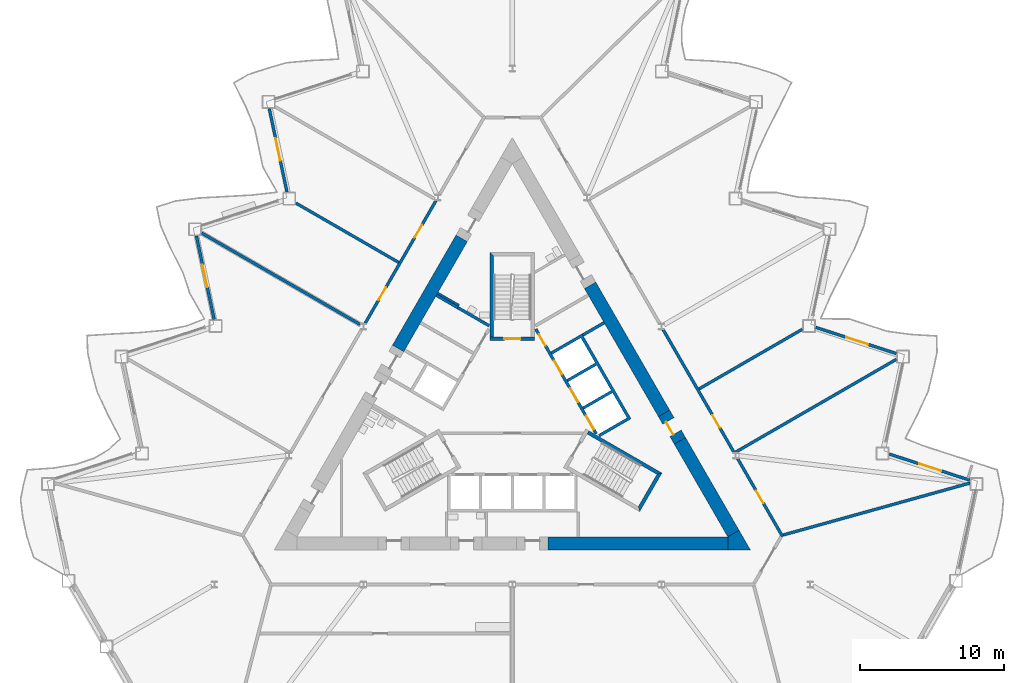
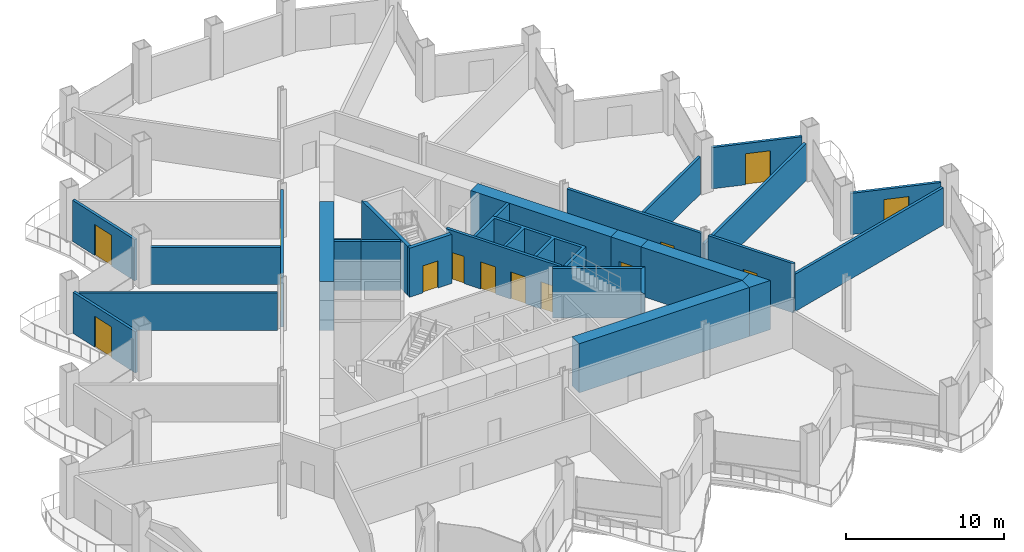
# One storey, part 12 of 21: 28 walls, 14 doors, 14 openings.
"""IFC4 building model written with IfcOpenShell, lengths in metres."""

from ifc_helpers import new_model, si_unit, direction, frame, frame_2d, origin, place, context, subcontext, project, spatial, polyline, rectangle, outline, extrude, material, layer, layer_set, type_object, element, fill, save


model = new_model("IFC4")

# Units and contexts
model_context = context("Model", 3, precision=1e-05, world=origin(), true_north=direction((0.0, 1.0)))
body_context = subcontext(model_context, "Body", "Model", "MODEL_VIEW")
ifc_project = project(units=[si_unit("LENGTHUNIT", "METRE"), si_unit("AREAUNIT", "SQUARE_METRE"), si_unit("VOLUMEUNIT", "CUBIC_METRE"), si_unit("PLANEANGLEUNIT", "RADIAN"), si_unit("MASSUNIT", "GRAM", prefix="KILO")], contexts=[model_context])

# Site, building, storey
site_placement = place(None, origin())
site = spatial("IfcSite", under=ifc_project, at=site_placement, CompositionType="ELEMENT")
building_placement = place(site_placement, origin())
building = spatial("IfcBuilding", under=site, at=building_placement, Name="Cormorant Prow Tower", CompositionType="ELEMENT")
storey_placement = place(building_placement, frame((0.0, 0.0, 141.60009765625)))
storey = spatial("IfcBuildingStorey", under=building, at=storey_placement, Name="L30", CompositionType="ELEMENT", Elevation=141.60009765625)

# Walls
ifc_material_1 = material(Name="Gypsum board partition")
ifc_layer_1 = layer(ifc_material_1, 0.14990234375)
ifc_layer_set_1 = layer_set([ifc_layer_1], Name="Gypsum board partition")
wall_type_1 = type_object("IfcWallType", Name="Core partition 150", PredefinedType="PARTITIONING", material=ifc_layer_set_1)
wall_1_placement = place(storey_placement, frame((-3.693359375, 7.4150390625, 0.0), z_axis=(0.0, 0.0, 1.0), x_axis=(-0.866024871741, 0.500000921525, 0.0)))
element("IfcWall", 1, at=wall_1_placement, inside=storey, type_object=wall_type_1, Name="Service room partition", PredefinedType="PARTITIONING", context=body_context, shape_type="SweptSolid", body=[
    extrude(rectangle(XDim=1.72021484375, YDim=0.14990234375, at=frame_2d((0.860107421875, 0.0))), origin(), (0.0, 0.0, 1.0), 3.7998046875),
])
ifc_material_2 = material(Name="Concrete 8000 psi", Category="concrete")
ifc_layer_2 = layer(ifc_material_2, 0.89990234375)
ifc_layer_set_2 = layer_set([ifc_layer_2], Name="Concrete 8000 psi")
wall_type_2 = type_object("IfcWallType", Name="Core shear wall 900", PredefinedType="SHEAR", material=ifc_layer_set_2)
wall_2_placement = place(storey_placement, frame((2.487548828125, -9.076416015625, 0.0), z_axis=(0.0, 0.0, 1.0), x_axis=(1.0, 0.0, 0.0)))
element("IfcWall", 2, at=wall_2_placement, inside=storey, type_object=wall_type_2, Name="Core wall", PredefinedType="SHEAR", context=body_context, shape_type="SweptSolid", body=[
    extrude(rectangle(XDim=12.45361328125, YDim=0.89990234375, at=frame_2d((6.226806640625, 0.0))), origin(), (0.0, 0.0, 1.0), 3.7998046875),
])
wall_3_placement = place(storey_placement, frame((10.5205078125, -0.069580078125, 0.0), z_axis=(0.0, 0.0, 1.0), x_axis=(-0.499997384719, 0.866026913713, 0.0)))
element("IfcWall", 3, at=wall_3_placement, inside=storey, type_object=wall_type_2, Name="Core wall", PredefinedType="SHEAR", context=body_context, shape_type="SweptSolid", body=[
    extrude(rectangle(XDim=10.2490234375, YDim=0.89990234375, at=frame_2d((5.12451171875, 0.0))), origin(), (0.0, 0.0, 1.0), 3.7998046875),
])
wall_4_placement = place(storey_placement, frame((15.330810546875, -8.4013671875, 0.0), z_axis=(0.0, 0.0, 1.0), x_axis=(-0.499985413531, 0.866033825122, 0.0)))
element("IfcWall", 4, at=wall_4_placement, inside=storey, type_object=wall_type_2, Name="Core wall", PredefinedType="SHEAR", context=body_context, shape_type="SweptSolid", body=[
    extrude(rectangle(XDim=7.420654296875, YDim=0.89990234375, at=frame_2d((3.71044921875, 0.0))), origin(), (0.0, 0.0, 1.0), 3.7998046875),
])
wall_5_placement = place(storey_placement, frame((-3.512451171875, 12.06884765625, 0.0), z_axis=(0.0, 0.0, 1.0), x_axis=(-0.500002126466, -0.866024176065, 0.0)))
element("IfcWall", 5, at=wall_5_placement, inside=storey, type_object=wall_type_2, Name="Core wall", PredefinedType="SHEAR", context=body_context, shape_type="SweptSolid", body=[
    extrude(rectangle(XDim=8.81591796875, YDim=0.89990234375, at=frame_2d((4.407958984375, 0.0))), origin(), (0.0, 0.0, 1.0), 3.7998046875),
])
wall_6_placement = place(storey_placement, origin())
element("IfcWall", 6, at=wall_6_placement, inside=storey, type_object=wall_type_2, Name="Core wall corner", PredefinedType="SHEAR", context=body_context, shape_type="SweptSolid", body=[
    extrude(outline(polyline([(14.941162109375, -8.626220703125), (15.720703125, -8.17626953125), (16.5, -9.5263671875), (14.941162109375, -9.5263671875), (14.941162109375, -8.626220703125)])), origin(), (0.0, 0.0, 1.0), 3.7998046875),
])

# Wall, opening, door
wall_7_placement = place(storey_placement, frame((11.62060546875, -1.974853515625, 0.0), z_axis=(0.0, 0.0, 1.0), x_axis=(-0.50002983664, 0.866008176907, 0.0)))
wall_7 = element("IfcWall", 7, at=wall_7_placement, inside=storey, type_object=wall_type_2, Name="Core wall door panel", PredefinedType="SHEAR", context=body_context, shape_type="SweptSolid", body=[
    extrude(rectangle(XDim=2.199951171875, YDim=0.89990234375, at=frame_2d((1.10009765625, 0.0))), origin(), (0.0, 0.0, 1.0), 3.7998046875),
])
opening_1_placement = place(wall_7_placement, frame((0.60009765625, 0.0, 0.0)))
opening_1 = element("IfcOpeningElement", 8, at=opening_1_placement, cuts=wall_7, Name="Opening L30-C19", PredefinedType="OPENING", context=body_context, shape_type="SweptSolid", body=[
    extrude(rectangle(XDim=1.0, YDim=2.10009765625, at=frame_2d((0.5, 1.050048828125))), frame((0.0, 0.4599609375, 0.0), z_axis=(0.0, -1.0, 0.0), x_axis=(1.0, 0.0, 0.0)), (0.0, 0.0, 1.0), 0.919921875),
])
ifc_material_3 = material(Name="Painted steel", Category="steel")
door_type_1 = type_object("IfcDoorType", Name="Service door 1000x2100", OperationType="NOTDEFINED", PredefinedType="DOOR", material=ifc_material_3)
door_1_placement = place(opening_1_placement, origin())
door_1 = element("IfcDoor", 9, at=door_1_placement, inside=storey, type_object=door_type_1, Name="Core door, Telecom room", OperationType="SINGLE_SWING_LEFT", OverallHeight=2.10009765625, OverallWidth=1.0, PredefinedType="DOOR", context=body_context, shape_type="SweptSolid", body=[
    extrude(rectangle(XDim=1.0, YDim=2.10009765625, at=frame_2d((0.5, 1.050048828125))), frame((0.0, 0.205078125, 0.0), z_axis=(0.0, -1.0, 0.0), x_axis=(1.0, 0.0, 0.0)), (0.0, 0.0, 1.0), 0.050048828125),
])
fill(opening_1, door_1)

ifc_material_4 = material(Name="Gypsum board corridor wall")
ifc_layer_3 = layer(ifc_material_4, 0.199951171875)
ifc_layer_set_3 = layer_set([ifc_layer_3], Name="Gypsum board corridor wall")
wall_type_3 = type_object("IfcWallType", Name="Corridor wall 200", PredefinedType="PARTITIONING", material=ifc_layer_set_3)
wall_8_placement = place(storey_placement, frame((10.459716796875, 5.735595703125, 0.0), z_axis=(0.0, 0.0, 1.0), x_axis=(0.500004141693, -0.866023012564, 0.0)))
wall_8 = element("IfcWall", 10, at=wall_8_placement, inside=storey, type_object=wall_type_3, Name="Corridor wall", PredefinedType="PARTITIONING", context=body_context, shape_type="SweptSolid", body=[
    extrude(rectangle(XDim=9.80322265625, YDim=0.199951171875, at=frame_2d((4.901611328125, 0.0))), origin(), (0.0, 0.0, 1.0), 3.7998046875),
])
opening_2_placement = place(wall_8_placement, frame((6.8525390625, 0.0, 0.0)))
opening_2 = element("IfcOpeningElement", 11, at=opening_2_placement, cuts=wall_8, Name="Opening L30-F06", PredefinedType="OPENING", context=body_context, shape_type="SweptSolid", body=[
    extrude(rectangle(XDim=1.0, YDim=2.10009765625, at=frame_2d((0.5, 1.050048828125))), frame((0.0, 0.10986328125, 0.0), z_axis=(0.0, -1.0, 0.0), x_axis=(1.0, 0.0, 0.0)), (0.0, 0.0, 1.0), 0.219970703125),
])
ifc_material_5 = material(Name="Timber door leaf", Category="wood")
door_type_2 = type_object("IfcDoorType", Name="Office door 1000x2100", OperationType="NOTDEFINED", PredefinedType="DOOR", material=ifc_material_5)
door_2_placement = place(opening_2_placement, origin())
door_2 = element("IfcDoor", 12, at=door_2_placement, inside=storey, type_object=door_type_2, Name="Meeting room door", OperationType="SINGLE_SWING_LEFT", OverallHeight=2.10009765625, OverallWidth=1.0, PredefinedType="DOOR", context=body_context, shape_type="SweptSolid", body=[
    extrude(rectangle(XDim=1.0, YDim=2.10009765625, at=frame_2d((0.5, 1.050048828125))), frame((0.0, 0.02490234375, 0.0), z_axis=(0.0, -1.0, 0.0), x_axis=(1.0, 0.0, 0.0)), (0.0, 0.0, 1.0), 0.050048828125),
])
fill(opening_2, door_2)

# Wall, openings, doors
wall_9_placement = place(storey_placement, frame((-10.197265625, 6.1904296875, 0.0), z_axis=(0.0, 0.0, 1.0), x_axis=(0.500012035596, 0.866018454918, 0.0)))
wall_9 = element("IfcWall", 13, at=wall_9_placement, inside=storey, type_object=wall_type_3, Name="Corridor wall", PredefinedType="PARTITIONING", context=body_context, shape_type="SweptSolid", body=[
    extrude(rectangle(XDim=9.803466796875, YDim=0.199951171875, at=frame_2d((4.90185546875, 0.0))), origin(), (0.0, 0.0, 1.0), 3.7998046875),
])
opening_3_placement = place(wall_9_placement, frame((6.8525390625, 0.0, 0.0)))
opening_3 = element("IfcOpeningElement", 14, at=opening_3_placement, cuts=wall_9, Name="Opening L30-F11", PredefinedType="OPENING", context=body_context, shape_type="SweptSolid", body=[
    extrude(rectangle(XDim=1.0, YDim=2.10009765625, at=frame_2d((0.5, 1.050048828125))), frame((0.0, 0.10986328125, 0.0), z_axis=(0.0, -1.0, 0.0), x_axis=(1.0, 0.0, 0.0)), (0.0, 0.0, 1.0), 0.219970703125),
])
opening_4_placement = place(wall_9_placement, frame((1.8505859375, 0.0, 0.0)))
opening_4 = element("IfcOpeningElement", 15, at=opening_4_placement, cuts=wall_9, Name="Opening L30-F12", PredefinedType="OPENING", context=body_context, shape_type="SweptSolid", body=[
    extrude(rectangle(XDim=1.0, YDim=2.10009765625, at=frame_2d((0.5, 1.050048828125))), frame((0.0, 0.10986328125, 0.0), z_axis=(0.0, -1.0, 0.0), x_axis=(1.0, 0.0, 0.0)), (0.0, 0.0, 1.0), 0.219970703125),
])
door_3_placement = place(opening_3_placement, origin())
door_3 = element("IfcDoor", 16, at=door_3_placement, inside=storey, type_object=door_type_2, Name="Meeting room door", OperationType="SINGLE_SWING_RIGHT", OverallHeight=2.10009765625, OverallWidth=1.0, PredefinedType="DOOR", context=body_context, shape_type="SweptSolid", body=[
    extrude(rectangle(XDim=1.0, YDim=2.10009765625, at=frame_2d((0.5, 1.050048828125))), frame((0.0, 0.02490234375, 0.0), z_axis=(0.0, -1.0, 0.0), x_axis=(1.0, 0.0, 0.0)), (0.0, 0.0, 1.0), 0.050048828125),
])
fill(opening_3, door_3)
door_4_placement = place(opening_4_placement, origin())
door_4 = element("IfcDoor", 17, at=door_4_placement, inside=storey, type_object=door_type_2, Name="Meeting room door", OperationType="SINGLE_SWING_RIGHT", OverallHeight=2.10009765625, OverallWidth=1.0, PredefinedType="DOOR", context=body_context, shape_type="SweptSolid", body=[
    extrude(rectangle(XDim=1.0, YDim=2.10009765625, at=frame_2d((0.5, 1.050048828125))), frame((0.0, 0.02490234375, 0.0), z_axis=(0.0, -1.0, 0.0), x_axis=(1.0, 0.0, 0.0)), (0.0, 0.0, 1.0), 0.050048828125),
])
fill(opening_4, door_4)

# Wall, opening, door
wall_10_placement = place(storey_placement, frame((15.6240234375, -3.208984375, 0.0), z_axis=(0.0, 0.0, 1.0), x_axis=(0.499997920671, -0.866026604282, 0.0)))
wall_10 = element("IfcWall", 18, at=wall_10_placement, inside=storey, type_object=wall_type_3, Name="Corridor wall", PredefinedType="PARTITIONING", context=body_context, shape_type="SweptSolid", body=[
    extrude(rectangle(XDim=6.23974609375, YDim=0.199951171875, at=frame_2d((3.119873046875, 0.0))), origin(), (0.0, 0.0, 1.0), 3.7998046875),
])
opening_5_placement = place(wall_10_placement, frame((2.569580078125, 0.0, 0.0)))
opening_5 = element("IfcOpeningElement", 19, at=opening_5_placement, cuts=wall_10, Name="Opening L30-F05", PredefinedType="OPENING", context=body_context, shape_type="SweptSolid", body=[
    extrude(rectangle(XDim=1.0, YDim=2.10009765625, at=frame_2d((0.5, 1.050048828125))), frame((0.0, 0.10986328125, 0.0), z_axis=(0.0, -1.0, 0.0), x_axis=(1.0, 0.0, 0.0)), (0.0, 0.0, 1.0), 0.219970703125),
])
door_5_placement = place(opening_5_placement, origin())
door_5 = element("IfcDoor", 20, at=door_5_placement, inside=storey, type_object=door_type_2, Name="Co-working room door", OperationType="SINGLE_SWING_LEFT", OverallHeight=2.10009765625, OverallWidth=1.0, PredefinedType="DOOR", context=body_context, shape_type="SweptSolid", body=[
    extrude(rectangle(XDim=1.0, YDim=2.10009765625, at=frame_2d((0.5, 1.050048828125))), frame((0.0, 0.02490234375, 0.0), z_axis=(0.0, -1.0, 0.0), x_axis=(1.0, 0.0, 0.0)), (0.0, 0.0, 1.0), 0.050048828125),
])
fill(opening_5, door_5)

# Walls
ifc_material_6 = material(Name="Gypsum board demising wall")
ifc_layer_4 = layer(ifc_material_6, 0.199951171875)
ifc_layer_set_4 = layer_set([ifc_layer_4], Name="Gypsum board demising wall")
wall_type_4 = type_object("IfcWallType", Name="Demising wall 200", PredefinedType="PARTITIONING", material=ifc_layer_set_4)
wall_11_placement = place(storey_placement, frame((18.790283203125, -8.49951171875, 0.0), z_axis=(0.0, 0.0, 1.0), x_axis=(0.963468434011, 0.267821912219, 0.0)))
element("IfcWall", 21, at=wall_11_placement, inside=storey, type_object=wall_type_4, Name="Demising wall", PredefinedType="PARTITIONING", context=body_context, shape_type="SweptSolid", body=[
    extrude(rectangle(XDim=13.436767578125, YDim=0.199951171875, at=frame_2d((6.71826171875, 0.0))), origin(), (0.0, 0.0, 1.0), 2.88525390625),
])
wall_12_placement = place(storey_placement, frame((15.48779296875, -2.754150390625, 0.0), z_axis=(0.0, 0.0, 1.0), x_axis=(0.866026411352, 0.499998254837, 0.0)))
element("IfcWall", 22, at=wall_12_placement, inside=storey, type_object=wall_type_4, Name="Demising wall", PredefinedType="PARTITIONING", context=body_context, shape_type="SweptSolid", body=[
    extrude(rectangle(XDim=12.873046875, YDim=0.199951171875, at=frame_2d((6.4365234375, 0.0))), origin(), (0.0, 0.0, 1.0), 2.88525390625),
])
wall_13_placement = place(storey_placement, frame((-21.536376953125, 12.43408203125, 0.0), z_axis=(0.0, 0.0, 1.0), x_axis=(0.86602461759, -0.500001361726, 0.0)))
element("IfcWall", 23, at=wall_13_placement, inside=storey, type_object=wall_type_4, Name="Demising wall", PredefinedType="PARTITIONING", context=body_context, shape_type="SweptSolid", body=[
    extrude(rectangle(XDim=12.67919921875, YDim=0.199951171875, at=frame_2d((6.339599609375, 0.0))), origin(), (0.0, 0.0, 1.0), 2.88525390625),
])
wall_14_placement = place(storey_placement, frame((12.947265625, 1.627197265625, 0.0), z_axis=(0.0, 0.0, 1.0), x_axis=(0.866034669089, 0.499983951678, 0.0)))
element("IfcWall", 24, at=wall_14_placement, inside=storey, type_object=wall_type_4, Name="Demising wall", PredefinedType="PARTITIONING", context=body_context, shape_type="SweptSolid", body=[
    extrude(rectangle(XDim=8.270263671875, YDim=0.199951171875, at=frame_2d((4.13525390625, 0.0))), origin(), (0.0, 0.0, 1.0), 2.88525390625),
])
wall_15_placement = place(storey_placement, frame((-15.009521484375, 14.513916015625, 0.0), z_axis=(0.0, 0.0, 1.0), x_axis=(0.866018103232, -0.500012644715, 0.0)))
element("IfcWall", 25, at=wall_15_placement, inside=storey, type_object=wall_type_4, Name="Demising wall", PredefinedType="PARTITIONING", context=body_context, shape_type="SweptSolid", body=[
    extrude(rectangle(XDim=8.229248046875, YDim=0.199951171875, at=frame_2d((4.11474609375, 0.0))), origin(), (0.0, 0.0, 1.0), 2.88525390625),
])

# Wall, openings, doors
ifc_material_7 = material(Name="Concrete 5000 psi", Category="concrete")
ifc_layer_5 = layer(ifc_material_7, 0.199951171875)
ifc_layer_set_5 = layer_set([ifc_layer_5], Name="Concrete 5000 psi")
wall_type_5 = type_object("IfcWallType", Name="Lift lobby wall 200", PredefinedType="SOLIDWALL", material=ifc_layer_set_5)
wall_16_placement = place(storey_placement, frame((5.817138671875, -1.4755859375, 0.0), z_axis=(0.0, 0.0, 1.0), x_axis=(-0.500002616675, 0.866023893041, 0.0)))
wall_16 = element("IfcWall", 26, at=wall_16_placement, inside=storey, type_object=wall_type_5, Name="Lift lobby wall, ENE block", PredefinedType="SOLIDWALL", context=body_context, shape_type="SweptSolid", body=[
    extrude(rectangle(XDim=8.373046875, YDim=0.199951171875, at=frame_2d((4.1865234375, 0.0))), origin(), (0.0, 0.0, 1.0), 3.7998046875),
])
opening_6_placement = place(wall_16_placement, frame((0.336669921875, 0.0, 0.0)))
opening_6 = element("IfcOpeningElement", 27, at=opening_6_placement, cuts=wall_16, Name="Opening L30-C05", PredefinedType="OPENING", context=body_context, shape_type="SweptSolid", body=[
    extrude(rectangle(XDim=1.10009765625, YDim=2.10009765625, at=frame_2d((0.550048828125, 1.050048828125))), frame((0.0, 0.10986328125, 0.0), z_axis=(0.0, -1.0, 0.0), x_axis=(1.0, 0.0, 0.0)), (0.0, 0.0, 1.0), 0.219970703125),
])
opening_7_placement = place(wall_16_placement, frame((2.53662109375, 0.0, 0.0)))
opening_7 = element("IfcOpeningElement", 28, at=opening_7_placement, cuts=wall_16, Name="Opening L30-C06", PredefinedType="OPENING", context=body_context, shape_type="SweptSolid", body=[
    extrude(rectangle(XDim=1.10009765625, YDim=2.10009765625, at=frame_2d((0.550048828125, 1.050048828125))), frame((0.0, 0.10986328125, 0.0), z_axis=(0.0, -1.0, 0.0), x_axis=(1.0, 0.0, 0.0)), (0.0, 0.0, 1.0), 0.219970703125),
])
opening_8_placement = place(wall_16_placement, frame((4.736572265625, 0.0, 0.0)))
opening_8 = element("IfcOpeningElement", 29, at=opening_8_placement, cuts=wall_16, Name="Opening L30-C07", PredefinedType="OPENING", context=body_context, shape_type="SweptSolid", body=[
    extrude(rectangle(XDim=1.10009765625, YDim=2.10009765625, at=frame_2d((0.550048828125, 1.050048828125))), frame((0.0, 0.10986328125, 0.0), z_axis=(0.0, -1.0, 0.0), x_axis=(1.0, 0.0, 0.0)), (0.0, 0.0, 1.0), 0.219970703125),
])
opening_9_placement = place(wall_16_placement, frame((7.03662109375, 0.0, 0.0)))
opening_9 = element("IfcOpeningElement", 30, at=opening_9_placement, cuts=wall_16, Name="Opening L30-C08", PredefinedType="OPENING", context=body_context, shape_type="SweptSolid", body=[
    extrude(rectangle(XDim=0.89990234375, YDim=2.10009765625, at=frame_2d((0.449951171875, 1.050048828125))), frame((0.0, 0.10986328125, 0.0), z_axis=(0.0, -1.0, 0.0), x_axis=(1.0, 0.0, 0.0)), (0.0, 0.0, 1.0), 0.219970703125),
])
ifc_material_8 = material(Name="Painted steel", Category="steel")
door_type_3 = type_object("IfcDoorType", Name="Lift landing door 1100x2100", OperationType="SLIDING_TO_LEFT", PredefinedType="DOOR", material=ifc_material_8)
door_6_placement = place(opening_6_placement, origin())
door_6 = element("IfcDoor", 31, at=door_6_placement, inside=storey, type_object=door_type_3, Name="Landing door LR2", OperationType="SLIDING_TO_LEFT", OverallHeight=2.10009765625, OverallWidth=1.10009765625, PredefinedType="DOOR", context=body_context, shape_type="SweptSolid", body=[
    extrude(rectangle(XDim=1.10009765625, YDim=2.10009765625, at=frame_2d((0.550048828125, 1.050048828125))), frame((0.0, 0.02490234375, 0.0), z_axis=(0.0, -1.0, 0.0), x_axis=(1.0, 0.0, 0.0)), (0.0, 0.0, 1.0), 0.050048828125),
])
fill(opening_6, door_6)
door_7_placement = place(opening_7_placement, origin())
door_7 = element("IfcDoor", 32, at=door_7_placement, inside=storey, type_object=door_type_3, Name="Landing door LR3", OperationType="SLIDING_TO_LEFT", OverallHeight=2.10009765625, OverallWidth=1.10009765625, PredefinedType="DOOR", context=body_context, shape_type="SweptSolid", body=[
    extrude(rectangle(XDim=1.10009765625, YDim=2.10009765625, at=frame_2d((0.550048828125, 1.050048828125))), frame((0.0, 0.02490234375, 0.0), z_axis=(0.0, -1.0, 0.0), x_axis=(1.0, 0.0, 0.0)), (0.0, 0.0, 1.0), 0.050048828125),
])
fill(opening_7, door_7)
door_8_placement = place(opening_8_placement, origin())
door_8 = element("IfcDoor", 33, at=door_8_placement, inside=storey, type_object=door_type_3, Name="Landing door LR4", OperationType="SLIDING_TO_LEFT", OverallHeight=2.10009765625, OverallWidth=1.10009765625, PredefinedType="DOOR", context=body_context, shape_type="SweptSolid", body=[
    extrude(rectangle(XDim=1.10009765625, YDim=2.10009765625, at=frame_2d((0.550048828125, 1.050048828125))), frame((0.0, 0.02490234375, 0.0), z_axis=(0.0, -1.0, 0.0), x_axis=(1.0, 0.0, 0.0)), (0.0, 0.0, 1.0), 0.050048828125),
])
fill(opening_8, door_8)
ifc_material_9 = material(Name="Painted steel", Category="steel")
door_type_4 = type_object("IfcDoorType", Name="Service door 900x2100", OperationType="NOTDEFINED", PredefinedType="DOOR", material=ifc_material_9)
door_9_placement = place(opening_9_placement, origin())
door_9 = element("IfcDoor", 34, at=door_9_placement, inside=storey, type_object=door_type_4, Name="Service door, Telecom room", OperationType="SINGLE_SWING_RIGHT", OverallHeight=2.10009765625, OverallWidth=0.89990234375, PredefinedType="DOOR", context=body_context, shape_type="SweptSolid", body=[
    extrude(rectangle(XDim=0.89990234375, YDim=2.10009765625, at=frame_2d((0.449951171875, 1.050048828125))), frame((0.0, 0.02490234375, 0.0), z_axis=(0.0, -1.0, 0.0), x_axis=(1.0, 0.0, 0.0)), (0.0, 0.0, 1.0), 0.050048828125),
])
fill(opening_9, door_9)

# Walls
ifc_material_10 = material(Name="Concrete 8000 psi", Category="concrete")
ifc_layer_6 = layer(ifc_material_10, 0.199951171875)
ifc_layer_set_6 = layer_set([ifc_layer_6], Name="Concrete 8000 psi")
wall_type_6 = type_object("IfcWallType", Name="Lift shaft wall 200", PredefinedType="SHEAR", material=ifc_layer_set_6)
wall_17_placement = place(storey_placement, origin())
element("IfcWall", 35, at=wall_17_placement, inside=storey, type_object=wall_type_6, Name="Lift shaft walls, ENE block", PredefinedType="SHEAR", context=body_context, shape_type="SweptSolid", body=[
    extrude(outline(polyline([(2.660400390625, 4.19189453125), (4.830810546875, 5.44482421875), (8.230712890625, -0.444091796875), (6.060546875, -1.697021484375), (5.96044921875, -1.52392578125), (7.952392578125, -0.373779296875), (6.952392578125, 1.358154296875), (4.96044921875, 0.2080078125), (4.860595703125, 0.38134765625), (6.852294921875, 1.53125), (5.852294921875, 3.263427734375), (3.860595703125, 2.11328125), (3.760498046875, 2.28662109375), (5.75244140625, 3.4365234375), (4.75244140625, 5.168701171875), (2.760498046875, 4.018798828125), (2.660400390625, 4.19189453125)])), origin(), (0.0, 0.0, 1.0), 3.7998046875),
])
wall_18_placement = place(storey_placement, frame((4.880859375, 5.3583984375, 0.0), z_axis=(0.0, 0.0, 1.0), x_axis=(0.866024871741, 0.500000921525, 0.0)))
element("IfcWall", 36, at=wall_18_placement, inside=storey, type_object=wall_type_6, Name="Store side wall", PredefinedType="SHEAR", context=body_context, shape_type="SweptSolid", body=[
    extrude(rectangle(XDim=1.72021484375, YDim=0.199951171875, at=frame_2d((0.860107421875, 0.0))), origin(), (0.0, 0.0, 1.0), 3.7998046875),
])
wall_19_placement = place(storey_placement, origin())
element("IfcWall", 37, at=wall_19_placement, inside=storey, type_object=wall_type_6, Name="Lift shaft walls, WNW block", PredefinedType="SHEAR", context=body_context, shape_type="SweptSolid", body=[
    extrude(outline(polyline([(-3.730712890625, 7.35009765625), (-1.560546875, 6.09716796875), (-1.660400390625, 5.923828125), (-3.830810546875, 7.177001953125), (-3.730712890625, 7.35009765625)])), origin(), (0.0, 0.0, 1.0), 3.7998046875),
])
wall_20_placement = place(storey_placement, frame((-3.78076171875, 7.263427734375, 0.0), z_axis=(0.0, 0.0, 1.0), x_axis=(-0.865963414263, 0.500107353632, 0.0)))
element("IfcWall", 38, at=wall_20_placement, inside=storey, type_object=wall_type_6, Name="Store side wall", PredefinedType="SHEAR", context=body_context, shape_type="SweptSolid", body=[
    extrude(rectangle(XDim=1.72021484375, YDim=0.199951171875, at=frame_2d((0.860107421875, 0.0))), origin(), (0.0, 0.0, 1.0), 3.7998046875),
])
ifc_material_11 = material(Name="Concrete 8000 psi", Category="concrete")
ifc_layer_7 = layer(ifc_material_11, 0.25)
ifc_layer_set_7 = layer_set([ifc_layer_7], Name="Concrete 8000 psi")
wall_type_7 = type_object("IfcWallType", Name="Stair wall 250", PredefinedType="SHEAR", material=ifc_layer_set_7)
wall_21_placement = place(storey_placement, origin())
element("IfcWall", 39, at=wall_21_placement, inside=storey, type_object=wall_type_7, Name="Stair ST2 enclosure wall (end)", PredefinedType="SHEAR", context=body_context, shape_type="SweptSolid", body=[
    extrude(outline(polyline([(8.82958984375, -6.880615234375), (10.37353515625, -4.206298828125), (10.031982421875, -4.2978515625), (8.738037109375, -6.5390625), (8.82958984375, -6.880615234375)])), origin(), (0.0, 0.0, 1.0), 3.7998046875),
])
wall_22_placement = place(storey_placement, origin())
element("IfcWall", 40, at=wall_22_placement, inside=storey, type_object=wall_type_7, Name="Stair ST2 enclosure wall (flank)", PredefinedType="SHEAR", context=body_context, shape_type="SweptSolid", body=[
    extrude(outline(polyline([(10.031982421875, -4.2978515625), (10.37353515625, -4.206298828125), (5.30712890625, -1.28125), (5.18212890625, -1.497802734375), (10.031982421875, -4.2978515625)])), origin(), (0.0, 0.0, 1.0), 3.7998046875),
])
wall_23_placement = place(storey_placement, origin())
element("IfcWall", 41, at=wall_23_placement, inside=storey, type_object=wall_type_7, Name="Stair ST3 enclosure wall (flank)", PredefinedType="SHEAR", context=body_context, shape_type="SweptSolid", body=[
    extrude(outline(polyline([(-1.2939453125, 10.8369140625), (-1.5439453125, 11.0869140625), (-1.5439453125, 5.23681640625), (-1.2939453125, 5.23681640625), (-1.2939453125, 10.8369140625)])), origin(), (0.0, 0.0, 1.0), 3.7998046875),
])

# Wall, opening, door
wall_24_placement = place(storey_placement, frame((1.5439453125, 5.11181640625, 0.0), z_axis=(0.0, 0.0, 1.0), x_axis=(-1.0, 0.0, 0.0)))
wall_24 = element("IfcWall", 42, at=wall_24_placement, inside=storey, type_object=wall_type_7, Name="Stair ST3 door wall", PredefinedType="SHEAR", context=body_context, shape_type="SweptSolid", body=[
    extrude(rectangle(XDim=3.087890625, YDim=0.25, at=frame_2d((1.5439453125, 0.0))), origin(), (0.0, 0.0, 1.0), 3.7998046875),
])
opening_10_placement = place(wall_24_placement, frame((0.993896484375, 0.0, 0.0)))
opening_10 = element("IfcOpeningElement", 43, at=opening_10_placement, cuts=wall_24, Name="Opening L30-C14", PredefinedType="OPENING", context=body_context, shape_type="SweptSolid", body=[
    extrude(rectangle(XDim=1.10009765625, YDim=2.10009765625, at=frame_2d((0.550048828125, 1.050048828125))), frame((0.0, 0.135009765625, 0.0), z_axis=(0.0, -1.0, 0.0), x_axis=(1.0, 0.0, 0.0)), (0.0, 0.0, 1.0), 0.27001953125),
])
ifc_material_12 = material(Name="Painted steel", Category="steel")
door_type_5 = type_object("IfcDoorType", Name="Stair door 1100x2100", OperationType="NOTDEFINED", PredefinedType="DOOR", material=ifc_material_12)
door_10_placement = place(opening_10_placement, origin())
door_10 = element("IfcDoor", 44, at=door_10_placement, inside=storey, type_object=door_type_5, Name="Stair ST3 door", OperationType="SINGLE_SWING_RIGHT", OverallHeight=2.10009765625, OverallWidth=1.10009765625, PredefinedType="DOOR", context=body_context, shape_type="SweptSolid", body=[
    extrude(rectangle(XDim=1.10009765625, YDim=2.10009765625, at=frame_2d((0.550048828125, 1.050048828125))), frame((0.0, 0.02490234375, 0.0), z_axis=(0.0, -1.0, 0.0), x_axis=(1.0, 0.0, 0.0)), (0.0, 0.0, 1.0), 0.050048828125),
])
fill(opening_10, door_10)

ifc_material_13 = material(Name="Terracotta", Category="masonry")
ifc_layer_8 = layer(ifc_material_13, 0.199951171875)
ifc_layer_set_8 = layer_set([ifc_layer_8], Name="Terracotta")
wall_type_8 = type_object("IfcWallType", Name="Terracotta jamb wall 200", PredefinedType="SOLIDWALL", material=ifc_layer_set_8)
wall_25_placement = place(storey_placement, frame((31.721435546875, -4.701904296875, 0.0), z_axis=(0.0, 0.0, 1.0), x_axis=(-0.951053952554, 0.309024884649, 0.0)))
wall_25 = element("IfcWall", 45, at=wall_25_placement, inside=storey, type_object=wall_type_8, Name="Terracotta jamb wall ENE01", PredefinedType="SOLIDWALL", context=body_context, shape_type="SweptSolid", body=[
    extrude(rectangle(XDim=5.864501953125, YDim=0.199951171875, at=frame_2d((2.93212890625, 0.0))), origin(), (0.0, 0.0, 1.0), 3.188720703125),
])
opening_11_placement = place(wall_25_placement, frame((2.07958984375, 0.0, 0.0)))
opening_11 = element("IfcOpeningElement", 46, at=opening_11_placement, cuts=wall_25, Name="Opening ED30.06", PredefinedType="OPENING", context=body_context, shape_type="SweptSolid", body=[
    extrude(rectangle(XDim=1.60009765625, YDim=2.39990234375, at=frame_2d((0.800048828125, 1.199951171875))), frame((0.0, 0.10986328125, 0.0), z_axis=(0.0, -1.0, 0.0), x_axis=(1.0, 0.0, 0.0)), (0.0, 0.0, 1.0), 0.219970703125),
])
ifc_material_14 = material(Name="Aluminium 6063-T6", Category="aluminium")
door_type_6 = type_object("IfcDoorType", Name="Balcony door 1600x2400", OperationType="DOUBLE_DOOR_SINGLE_SWING", PredefinedType="DOOR", material=ifc_material_14)
door_11_placement = place(opening_11_placement, origin())
door_11 = element("IfcDoor", 47, at=door_11_placement, inside=storey, type_object=door_type_6, Name="Balcony door ENE01 ED30.06", OperationType="DOUBLE_DOOR_SINGLE_SWING", OverallHeight=2.39990234375, OverallWidth=1.60009765625, PredefinedType="DOOR", context=body_context, shape_type="SweptSolid", body=[
    extrude(rectangle(XDim=1.60009765625, YDim=2.39990234375, at=frame_2d((0.800048828125, 1.199951171875))), frame((0.0, 0.02490234375, 0.0), z_axis=(0.0, -1.0, 0.0), x_axis=(1.0, 0.0, 0.0)), (0.0, 0.0, 1.0), 0.050048828125),
])
fill(opening_11, door_11)

wall_26_placement = place(storey_placement, frame((26.62158203125, 4.08154296875, 0.0), z_axis=(0.0, 0.0, 1.0), x_axis=(-0.951053952554, 0.309024884649, 0.0)))
wall_26 = element("IfcWall", 48, at=wall_26_placement, inside=storey, type_object=wall_type_8, Name="Terracotta jamb wall ENE03", PredefinedType="SOLIDWALL", context=body_context, shape_type="SweptSolid", body=[
    extrude(rectangle(XDim=5.864501953125, YDim=0.199951171875, at=frame_2d((2.93212890625, 0.0))), origin(), (0.0, 0.0, 1.0), 3.188720703125),
])
opening_12_placement = place(wall_26_placement, frame((2.04248046875, 0.0, 0.0)))
opening_12 = element("IfcOpeningElement", 49, at=opening_12_placement, cuts=wall_26, Name="Opening ED30.07", PredefinedType="OPENING", context=body_context, shape_type="SweptSolid", body=[
    extrude(rectangle(XDim=1.60009765625, YDim=2.39990234375, at=frame_2d((0.800048828125, 1.199951171875))), frame((0.0, 0.10986328125, 0.0), z_axis=(0.0, -1.0, 0.0), x_axis=(1.0, 0.0, 0.0)), (0.0, 0.0, 1.0), 0.219970703125),
])
door_12_placement = place(opening_12_placement, origin())
door_12 = element("IfcDoor", 50, at=door_12_placement, inside=storey, type_object=door_type_6, Name="Balcony door ENE03 ED30.07", OperationType="DOUBLE_DOOR_SINGLE_SWING", OverallHeight=2.39990234375, OverallWidth=1.60009765625, PredefinedType="DOOR", context=body_context, shape_type="SweptSolid", body=[
    extrude(rectangle(XDim=1.60009765625, YDim=2.39990234375, at=frame_2d((0.800048828125, 1.199951171875))), frame((0.0, 0.02490234375, 0.0), z_axis=(0.0, -1.0, 0.0), x_axis=(1.0, 0.0, 0.0)), (0.0, 0.0, 1.0), 0.050048828125),
])
fill(opening_12, door_12)

wall_27_placement = place(storey_placement, frame((-16.856689453125, 21.06640625, 0.0), z_axis=(0.0, 0.0, 1.0), x_axis=(0.207917562075, -0.978146352741, 0.0)))
wall_27 = element("IfcWall", 51, at=wall_27_placement, inside=storey, type_object=wall_type_8, Name="Terracotta jamb wall WNW03", PredefinedType="SOLIDWALL", context=body_context, shape_type="SweptSolid", body=[
    extrude(rectangle(XDim=5.90869140625, YDim=0.199951171875, at=frame_2d((2.954345703125, 0.0))), origin(), (0.0, 0.0, 1.0), 3.188720703125),
])
opening_13_placement = place(wall_27_placement, frame((2.095703125, 0.0, 0.0)))
opening_13 = element("IfcOpeningElement", 52, at=opening_13_placement, cuts=wall_27, Name="Opening ED30.12", PredefinedType="OPENING", context=body_context, shape_type="SweptSolid", body=[
    extrude(rectangle(XDim=1.60009765625, YDim=2.39990234375, at=frame_2d((0.800048828125, 1.199951171875))), frame((0.0, 0.10986328125, 0.0), z_axis=(0.0, -1.0, 0.0), x_axis=(1.0, 0.0, 0.0)), (0.0, 0.0, 1.0), 0.219970703125),
])
door_13_placement = place(opening_13_placement, origin())
door_13 = element("IfcDoor", 53, at=door_13_placement, inside=storey, type_object=door_type_6, Name="Balcony door WNW03 ED30.12", OperationType="DOUBLE_DOOR_SINGLE_SWING", OverallHeight=2.39990234375, OverallWidth=1.60009765625, PredefinedType="DOOR", context=body_context, shape_type="SweptSolid", body=[
    extrude(rectangle(XDim=1.60009765625, YDim=2.39990234375, at=frame_2d((0.800048828125, 1.199951171875))), frame((0.0, 0.02490234375, 0.0), z_axis=(0.0, -1.0, 0.0), x_axis=(1.0, 0.0, 0.0)), (0.0, 0.0, 1.0), 0.050048828125),
])
fill(opening_13, door_13)

wall_28_placement = place(storey_placement, frame((-21.907958984375, 12.23291015625, 0.0), z_axis=(0.0, 0.0, 1.0), x_axis=(0.207886430801, -0.978152969575, 0.0)))
wall_28 = element("IfcWall", 54, at=wall_28_placement, inside=storey, type_object=wall_type_8, Name="Terracotta jamb wall WNW05", PredefinedType="SOLIDWALL", context=body_context, shape_type="SweptSolid", body=[
    extrude(rectangle(XDim=5.908447265625, YDim=0.199951171875, at=frame_2d((2.9541015625, 0.0))), origin(), (0.0, 0.0, 1.0), 3.188720703125),
])
opening_14_placement = place(wall_28_placement, frame((2.032958984375, 0.0, 0.0)))
opening_14 = element("IfcOpeningElement", 55, at=opening_14_placement, cuts=wall_28, Name="Opening ED30.13", PredefinedType="OPENING", context=body_context, shape_type="SweptSolid", body=[
    extrude(rectangle(XDim=1.60009765625, YDim=2.39990234375, at=frame_2d((0.800048828125, 1.199951171875))), frame((0.0, 0.10986328125, 0.0), z_axis=(0.0, -1.0, 0.0), x_axis=(1.0, 0.0, 0.0)), (0.0, 0.0, 1.0), 0.219970703125),
])
door_14_placement = place(opening_14_placement, origin())
door_14 = element("IfcDoor", 56, at=door_14_placement, inside=storey, type_object=door_type_6, Name="Balcony door WNW05 ED30.13", OperationType="DOUBLE_DOOR_SINGLE_SWING", OverallHeight=2.39990234375, OverallWidth=1.60009765625, PredefinedType="DOOR", context=body_context, shape_type="SweptSolid", body=[
    extrude(rectangle(XDim=1.60009765625, YDim=2.39990234375, at=frame_2d((0.800048828125, 1.199951171875))), frame((0.0, 0.02490234375, 0.0), z_axis=(0.0, -1.0, 0.0), x_axis=(1.0, 0.0, 0.0)), (0.0, 0.0, 1.0), 0.050048828125),
])
fill(opening_14, door_14)

save(model, "model.ifc")
